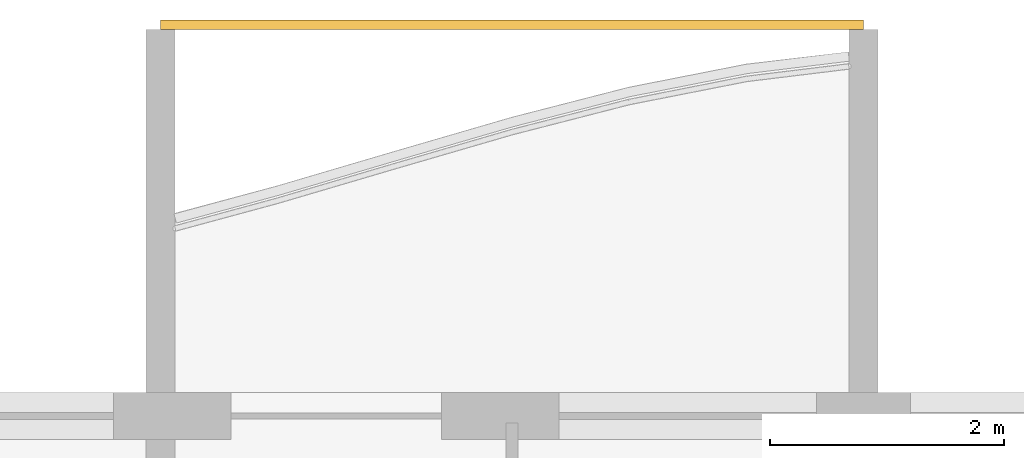
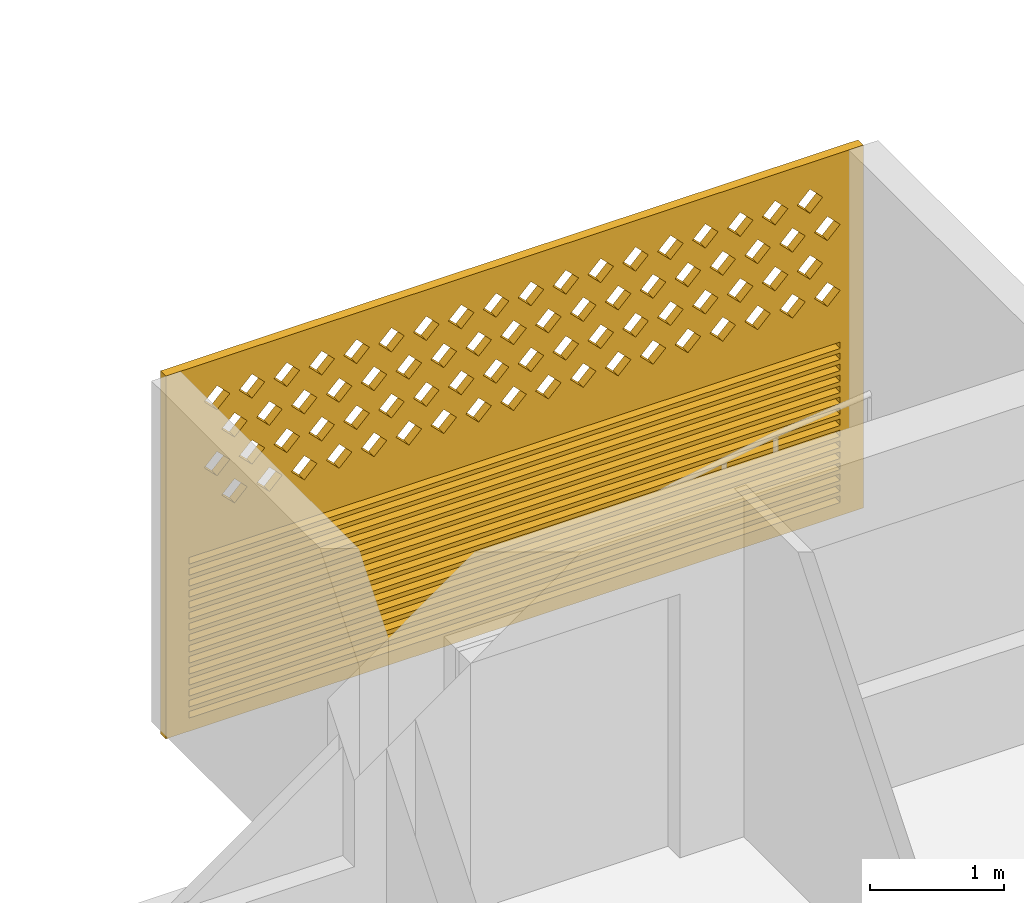
# One storey, part 20 of 28: 1 covering.
"""IFC4 building model written with IfcOpenShell, lengths in metres."""

import ifcopenshell
import ifcopenshell.guid

model = None  # the IFC model being written
_history = None  # IfcOwnerHistory: only IFC2X3 demands one
_inside = {}  # id of a spatial element -> (the spatial element, [elements in it])
_under = {}  # id of a project, library or spatial element -> (it, [spatial elements below it])
_declared = {}  # id of a project -> (the project, [libraries it declares])
_typed = {}  # id of a type object -> (the type object, [elements of that type])
_made_of = {}  # id of a material, layer set ... -> (it, [elements and type objects made of it])


def new_model(schema):
    """Start an empty IFC model of exactly this schema.

    Asked for "IFC4X3", IfcOpenShell would pick the latest addendum, in which some entities
    have other attributes; the version numbers below select the first issue.
    IFC2X3 requires an IfcOwnerHistory on every rooted entity: one is made here for all.
    """
    global model, _history
    if schema == "IFC4X3":
        model = ifcopenshell.file(schema_version=(4, 3, 0, 0))
    else:
        model = ifcopenshell.file(schema=schema)
    _inside.clear()
    _under.clear()
    _declared.clear()
    _typed.clear()
    _made_of.clear()
    _history = None
    if model.schema == "IFC2X3":
        org = make("IfcOrganization", Name="unknown")
        user = make(
            "IfcPersonAndOrganization",
            ThePerson=make("IfcPerson", FamilyName="unknown"),
            TheOrganization=org,
        )
        app = make(
            "IfcApplication",
            ApplicationDeveloper=org,
            Version="unknown",
            ApplicationFullName="unknown",
            ApplicationIdentifier="unknown",
        )
        _history = make(
            "IfcOwnerHistory",
            OwningUser=user,
            OwningApplication=app,
            ChangeAction="ADDED",
            CreationDate=0,
        )
    return model


def make(cls, **values):
    """One entity of the class cls with the attributes given. An attribute that is None is left unset."""
    return model.create_entity(
        cls, **{name: value for name, value in values.items() if value is not None}
    )


def rooted(cls, **values):
    """An entity with a GlobalId (a new one), such as an element, a storey or a relation."""
    return make(cls, GlobalId=ifcopenshell.guid.new(), OwnerHistory=_history, **values)


def si_unit(unit_type, name, prefix=None):
    """IfcSIUnit, for example si_unit("LENGTHUNIT", "METRE", prefix="MILLI")."""
    return make("IfcSIUnit", UnitType=unit_type, Prefix=prefix, Name=name)


def assignment(units):
    """IfcUnitAssignment: the units of a project."""
    return None if units is None else make("IfcUnitAssignment", Units=units)


def point(xyz):
    """IfcCartesianPoint."""
    return None if xyz is None else make("IfcCartesianPoint", Coordinates=xyz)


def direction(xyz):
    """IfcDirection."""
    return None if xyz is None else make("IfcDirection", DirectionRatios=xyz)


def frame(location, z_axis=None, x_axis=None):
    """IfcAxis2Placement3D, a coordinate frame: its origin and axes. An axis left out is left unset."""
    return make(
        "IfcAxis2Placement3D",
        Location=point(location),
        Axis=direction(z_axis),
        RefDirection=direction(x_axis),
    )


def origin():
    """The frame at (0, 0, 0) with its axes left unset."""
    return frame((0.0, 0.0, 0.0))


def place(relative_to, where):
    """IfcLocalPlacement: puts the frame where relative to a parent placement (None: the world)."""
    return make(
        "IfcLocalPlacement", PlacementRelTo=relative_to, RelativePlacement=where
    )


def context(
    kind, dimensions, precision=None, world=None, true_north=None, identifier=None
):
    """IfcGeometricRepresentationContext, for example the 3D "Model" context."""
    return make(
        "IfcGeometricRepresentationContext",
        ContextIdentifier=identifier,
        ContextType=kind,
        CoordinateSpaceDimension=dimensions,
        Precision=precision,
        WorldCoordinateSystem=world,
        TrueNorth=true_north,
    )


def subcontext(parent, identifier, kind, view, scale=None):
    """IfcGeometricRepresentationSubContext, for example "Body" below "Model"."""
    return make(
        "IfcGeometricRepresentationSubContext",
        ContextIdentifier=identifier,
        ContextType=kind,
        ParentContext=parent,
        TargetScale=scale,
        TargetView=view,
    )


def project(units=None, contexts=None):
    """IfcProject with its units and contexts."""
    return rooted(
        "IfcProject",
        Name="project",
        RepresentationContexts=contexts,
        UnitsInContext=assignment(units),
    )


def spatial(cls, under=None, at=None, **own):
    """A site, building, storey or space (cls), placed at a placement, below another one or the project."""
    s = rooted(cls, ObjectPlacement=at, **own)
    if under is not None:
        _under.setdefault(under.id(), (under, []))[1].append(s)
    return s


def polyline(points):
    """IfcPolyline through the points."""
    return make("IfcPolyline", Points=[point(p) for p in points])


def outline(outer, holes=None, kind="AREA"):
    """IfcArbitraryClosedProfileDef: a profile drawn as a closed curve; with holes, ...WithVoids."""
    if holes is None:
        return make("IfcArbitraryClosedProfileDef", ProfileType=kind, OuterCurve=outer)
    return make(
        "IfcArbitraryProfileDefWithVoids",
        ProfileType=kind,
        OuterCurve=outer,
        InnerCurves=holes,
    )


def extrude(swept, where, along, depth):
    """IfcExtrudedAreaSolid: the profile swept, set in the frame where, extruded along a direction by depth."""
    return make(
        "IfcExtrudedAreaSolid",
        SweptArea=swept,
        Position=where,
        ExtrudedDirection=direction(along),
        Depth=depth,
    )


def shape(context_of_items, identifier, shape_type, items):
    """IfcShapeRepresentation: the items that make up one representation, for example the "Body"."""
    return make(
        "IfcShapeRepresentation",
        ContextOfItems=context_of_items,
        RepresentationIdentifier=identifier,
        RepresentationType=shape_type,
        Items=items,
    )


def source(mapping_origin, context_of_items, identifier, shape_type, items):
    """IfcRepresentationMap: a shape defined once, which mapped items show again and again."""
    return make(
        "IfcRepresentationMap",
        MappingOrigin=mapping_origin,
        MappedRepresentation=shape(context_of_items, identifier, shape_type, items),
    )


def transform(
    local_origin,
    x_axis=None,
    y_axis=None,
    z_axis=None,
    scale=None,
    scale2=None,
    scale3=None,
    uniform=True,
):
    """IfcCartesianTransformationOperator3D, or its non-uniform kind. x_axis, y_axis, z_axis: its Axis1, 2, 3."""
    if uniform:
        return make(
            "IfcCartesianTransformationOperator3D",
            Axis1=direction(x_axis),
            Axis2=direction(y_axis),
            LocalOrigin=point(local_origin),
            Scale=scale,
            Axis3=direction(z_axis),
        )
    return make(
        "IfcCartesianTransformationOperator3DnonUniform",
        Axis1=direction(x_axis),
        Axis2=direction(y_axis),
        LocalOrigin=point(local_origin),
        Scale=scale,
        Axis3=direction(z_axis),
        Scale2=scale2,
        Scale3=scale3,
    )


def mapped(mapping_source, mapping_target):
    """IfcMappedItem: shows the shape of a source again, moved by a transform."""
    return make(
        "IfcMappedItem", MappingSource=mapping_source, MappingTarget=mapping_target
    )


def material(Name=None, Category=None):
    """IfcMaterial."""
    return make("IfcMaterial", Name=Name, Category=Category)


def material_profile(
    of_material, cross_section, Name=None, Category=None, Priority=None
):
    """IfcMaterialProfile: a cross section and its material."""
    return make(
        "IfcMaterialProfile",
        Name=Name,
        Material=of_material,
        Profile=cross_section,
        Priority=Priority,
        Category=Category,
    )


def profile_set(profiles, Name=None, composite=None):
    """IfcMaterialProfileSet."""
    return make(
        "IfcMaterialProfileSet",
        Name=Name,
        MaterialProfiles=profiles,
        CompositeProfile=composite,
    )


def made_of(thing, what):
    """Note that an element or type object is made of a material, layer set ...; save() writes the relation."""
    if what is not None:
        _made_of.setdefault(what.id(), (what, []))[1].append(thing)
    return thing


def type_object(cls, material=None, **own):
    """A type object (cls), such as IfcWallType, which elements share."""
    return made_of(rooted(cls, **own), material)


def element(
    cls,
    number,
    at=None,
    inside=None,
    cuts=None,
    type_object=None,
    material=None,
    context=None,
    identifier="Body",
    shape_type=None,
    held_by="IfcProductDefinitionShape",
    body=None,
    shapes=None,
    **own,
):
    """One element of the class cls, such as IfcWall. Its Tag is "e" and its number.

    at: its placement. inside: the storey or other place that contains it. cuts: it is an
    opening in that element (IfcRelVoidsElement). A single representation is given by context,
    identifier, shape_type and body (its items); several are given by shapes. held_by: the class
    of the entity that holds the representations. save() writes the other relations.
    """
    e = rooted(cls, Tag="e%d" % number, ObjectPlacement=at, **own)
    if body is not None:
        shapes = [shape(context, identifier, shape_type, body)]
    if shapes is not None:
        e.Representation = make(held_by, Representations=shapes)
    if inside is not None:
        _inside.setdefault(inside.id(), (inside, []))[1].append(e)
    if cuts is not None:
        rooted(
            "IfcRelVoidsElement", RelatingBuildingElement=cuts, RelatedOpeningElement=e
        )
    if type_object is not None:
        _typed.setdefault(type_object.id(), (type_object, []))[1].append(e)
    return made_of(e, material)


def aggregate(whole, parts):
    """IfcRelAggregates: a whole, such as a stair, and the parts it consists of."""
    return rooted("IfcRelAggregates", RelatingObject=whole, RelatedObjects=parts)


def save(model, path):
    """Write the relations noted so far, then the file.

    IfcRelAggregates (storeys below a building ...), IfcRelContainedInSpatialStructure (elements
    in a storey), IfcRelDefinesByType, IfcRelAssociatesMaterial and IfcRelDeclares: one each for
    every whole, place, type object, material and project.
    """
    for whole, parts in _under.values():
        aggregate(whole, parts)
    for where, things in _inside.values():
        rooted(
            "IfcRelContainedInSpatialStructure",
            RelatedElements=things,
            RelatingStructure=where,
        )
    for kind, things in _typed.values():
        rooted("IfcRelDefinesByType", RelatedObjects=things, RelatingType=kind)
    for what, things in _made_of.values():
        rooted("IfcRelAssociatesMaterial", RelatedObjects=things, RelatingMaterial=what)
    for by, libraries in _declared.values():
        rooted("IfcRelDeclares", RelatingContext=by, RelatedDefinitions=libraries)
    model.write(path)


model = new_model("IFC4")

# Units and contexts
model_context = context("Model", 3, precision=1e-05, world=origin(), true_north=direction((0.0, 1.0)))
body_context = subcontext(model_context, "Body", "Model", "MODEL_VIEW")
ifc_project = project(units=[si_unit("LENGTHUNIT", "METRE"), si_unit("AREAUNIT", "SQUARE_METRE"), si_unit("VOLUMEUNIT", "CUBIC_METRE"), si_unit("PLANEANGLEUNIT", "RADIAN"), si_unit("MASSUNIT", "GRAM", prefix="KILO")], contexts=[model_context])

# Site, building, storey
site_placement = place(None, origin())
site = spatial("IfcSite", under=ifc_project, at=site_placement, CompositionType="ELEMENT")
building_placement = place(site_placement, origin())
building = spatial("IfcBuilding", under=site, at=building_placement, Name="Poui Terraces", CompositionType="ELEMENT")
storey_placement = place(building_placement, frame((0.0, 0.0, 181.800048828125)))
storey = spatial("IfcBuildingStorey", under=building, at=storey_placement, Name="L50", CompositionType="ELEMENT", Elevation=181.800048828125)

# Covering
ifc_material = material(Name="Terracotta screen", Category="masonry")
ifc_material_profile = material_profile(ifc_material, outline(polyline([(-3.0, -1.64990234375), (3.0, -1.64990234375), (3.0, 1.64990234375), (-3.0, 1.64990234375), (-3.0, -1.64990234375)]), holes=[polyline([(-2.800048828125, 0.39990234375), (-2.68994140625, 0.2900390625), (-2.580078125, 0.39990234375), (-2.68994140625, 0.510009765625), (-2.800048828125, 0.39990234375)]), polyline([(-2.5, 0.39990234375), (-2.389892578125, 0.2900390625), (-2.280029296875, 0.39990234375), (-2.389892578125, 0.510009765625), (-2.5, 0.39990234375)]), polyline([(-2.199951171875, 0.39990234375), (-2.090087890625, 0.2900390625), (-1.97998046875, 0.39990234375), (-2.090087890625, 0.510009765625), (-2.199951171875, 0.39990234375)]), polyline([(-1.89990234375, 0.39990234375), (-1.7900390625, 0.2900390625), (-1.679931640625, 0.39990234375), (-1.7900390625, 0.510009765625), (-1.89990234375, 0.39990234375)]), polyline([(-1.60009765625, 0.39990234375), (-1.489990234375, 0.2900390625), (-1.3798828125, 0.39990234375), (-1.489990234375, 0.510009765625), (-1.60009765625, 0.39990234375)]), polyline([(-1.300048828125, 0.39990234375), (-1.18994140625, 0.2900390625), (-1.080078125, 0.39990234375), (-1.18994140625, 0.510009765625), (-1.300048828125, 0.39990234375)]), polyline([(-1.0, 0.39990234375), (-0.889892578125, 0.2900390625), (-0.780029296875, 0.39990234375), (-0.889892578125, 0.510009765625), (-1.0, 0.39990234375)]), polyline([(-0.699951171875, 0.39990234375), (-0.590087890625, 0.2900390625), (-0.47998046875, 0.39990234375), (-0.590087890625, 0.510009765625), (-0.699951171875, 0.39990234375)]), polyline([(-0.39990234375, 0.39990234375), (-0.2900390625, 0.2900390625), (-0.179931640625, 0.39990234375), (-0.2900390625, 0.510009765625), (-0.39990234375, 0.39990234375)]), polyline([(-0.10009765625, 0.39990234375), (0.010009765625, 0.2900390625), (0.1201171875, 0.39990234375), (0.010009765625, 0.510009765625), (-0.10009765625, 0.39990234375)]), polyline([(0.199951171875, 0.39990234375), (0.31005859375, 0.2900390625), (0.419921875, 0.39990234375), (0.31005859375, 0.510009765625), (0.199951171875, 0.39990234375)]), polyline([(0.5, 0.39990234375), (0.610107421875, 0.2900390625), (0.719970703125, 0.39990234375), (0.610107421875, 0.510009765625), (0.5, 0.39990234375)]), polyline([(0.800048828125, 0.39990234375), (0.909912109375, 0.2900390625), (1.02001953125, 0.39990234375), (0.909912109375, 0.510009765625), (0.800048828125, 0.39990234375)]), polyline([(1.10009765625, 0.39990234375), (1.2099609375, 0.2900390625), (1.320068359375, 0.39990234375), (1.2099609375, 0.510009765625), (1.10009765625, 0.39990234375)]), polyline([(1.39990234375, 0.39990234375), (1.510009765625, 0.2900390625), (1.6201171875, 0.39990234375), (1.510009765625, 0.510009765625), (1.39990234375, 0.39990234375)]), polyline([(1.699951171875, 0.39990234375), (1.81005859375, 0.2900390625), (1.919921875, 0.39990234375), (1.81005859375, 0.510009765625), (1.699951171875, 0.39990234375)]), polyline([(2.0, 0.39990234375), (2.110107421875, 0.2900390625), (2.219970703125, 0.39990234375), (2.110107421875, 0.510009765625), (2.0, 0.39990234375)]), polyline([(2.300048828125, 0.39990234375), (2.409912109375, 0.2900390625), (2.52001953125, 0.39990234375), (2.409912109375, 0.510009765625), (2.300048828125, 0.39990234375)]), polyline([(-2.64990234375, 0.699951171875), (-2.5400390625, 0.590087890625), (-2.429931640625, 0.699951171875), (-2.5400390625, 0.81005859375), (-2.64990234375, 0.699951171875)]), polyline([(-2.35009765625, 0.699951171875), (-2.239990234375, 0.590087890625), (-2.1298828125, 0.699951171875), (-2.239990234375, 0.81005859375), (-2.35009765625, 0.699951171875)]), polyline([(-2.050048828125, 0.699951171875), (-1.93994140625, 0.590087890625), (-1.830078125, 0.699951171875), (-1.93994140625, 0.81005859375), (-2.050048828125, 0.699951171875)]), polyline([(-1.75, 0.699951171875), (-1.639892578125, 0.590087890625), (-1.530029296875, 0.699951171875), (-1.639892578125, 0.81005859375), (-1.75, 0.699951171875)]), polyline([(-1.449951171875, 0.699951171875), (-1.340087890625, 0.590087890625), (-1.22998046875, 0.699951171875), (-1.340087890625, 0.81005859375), (-1.449951171875, 0.699951171875)]), polyline([(-1.14990234375, 0.699951171875), (-1.0400390625, 0.590087890625), (-0.929931640625, 0.699951171875), (-1.0400390625, 0.81005859375), (-1.14990234375, 0.699951171875)]), polyline([(-0.85009765625, 0.699951171875), (-0.739990234375, 0.590087890625), (-0.6298828125, 0.699951171875), (-0.739990234375, 0.81005859375), (-0.85009765625, 0.699951171875)]), polyline([(-0.550048828125, 0.699951171875), (-0.43994140625, 0.590087890625), (-0.330078125, 0.699951171875), (-0.43994140625, 0.81005859375), (-0.550048828125, 0.699951171875)]), polyline([(-0.25, 0.699951171875), (-0.139892578125, 0.590087890625), (-0.030029296875, 0.699951171875), (-0.139892578125, 0.81005859375), (-0.25, 0.699951171875)]), polyline([(0.050048828125, 0.699951171875), (0.159912109375, 0.590087890625), (0.27001953125, 0.699951171875), (0.159912109375, 0.81005859375), (0.050048828125, 0.699951171875)]), polyline([(0.35009765625, 0.699951171875), (0.4599609375, 0.590087890625), (0.570068359375, 0.699951171875), (0.4599609375, 0.81005859375), (0.35009765625, 0.699951171875)]), polyline([(0.64990234375, 0.699951171875), (0.760009765625, 0.590087890625), (0.8701171875, 0.699951171875), (0.760009765625, 0.81005859375), (0.64990234375, 0.699951171875)]), polyline([(0.949951171875, 0.699951171875), (1.06005859375, 0.590087890625), (1.169921875, 0.699951171875), (1.06005859375, 0.81005859375), (0.949951171875, 0.699951171875)]), polyline([(1.25, 0.699951171875), (1.360107421875, 0.590087890625), (1.469970703125, 0.699951171875), (1.360107421875, 0.81005859375), (1.25, 0.699951171875)]), polyline([(1.550048828125, 0.699951171875), (1.659912109375, 0.590087890625), (1.77001953125, 0.699951171875), (1.659912109375, 0.81005859375), (1.550048828125, 0.699951171875)]), polyline([(1.85009765625, 0.699951171875), (1.9599609375, 0.590087890625), (2.070068359375, 0.699951171875), (1.9599609375, 0.81005859375), (1.85009765625, 0.699951171875)]), polyline([(2.14990234375, 0.699951171875), (2.260009765625, 0.590087890625), (2.3701171875, 0.699951171875), (2.260009765625, 0.81005859375), (2.14990234375, 0.699951171875)]), polyline([(2.449951171875, 0.699951171875), (2.56005859375, 0.590087890625), (2.669921875, 0.699951171875), (2.56005859375, 0.81005859375), (2.449951171875, 0.699951171875)]), polyline([(-2.800048828125, 1.0), (-2.68994140625, 0.889892578125), (-2.580078125, 1.0), (-2.68994140625, 1.110107421875), (-2.800048828125, 1.0)]), polyline([(-2.5, 1.0), (-2.389892578125, 0.889892578125), (-2.280029296875, 1.0), (-2.389892578125, 1.110107421875), (-2.5, 1.0)]), polyline([(-2.199951171875, 1.0), (-2.090087890625, 0.889892578125), (-1.97998046875, 1.0), (-2.090087890625, 1.110107421875), (-2.199951171875, 1.0)]), polyline([(-1.89990234375, 1.0), (-1.7900390625, 0.889892578125), (-1.679931640625, 1.0), (-1.7900390625, 1.110107421875), (-1.89990234375, 1.0)]), polyline([(-1.60009765625, 1.0), (-1.489990234375, 0.889892578125), (-1.3798828125, 1.0), (-1.489990234375, 1.110107421875), (-1.60009765625, 1.0)]), polyline([(-1.300048828125, 1.0), (-1.18994140625, 0.889892578125), (-1.080078125, 1.0), (-1.18994140625, 1.110107421875), (-1.300048828125, 1.0)]), polyline([(-1.0, 1.0), (-0.889892578125, 0.889892578125), (-0.780029296875, 1.0), (-0.889892578125, 1.110107421875), (-1.0, 1.0)]), polyline([(-0.699951171875, 1.0), (-0.590087890625, 0.889892578125), (-0.47998046875, 1.0), (-0.590087890625, 1.110107421875), (-0.699951171875, 1.0)]), polyline([(-0.39990234375, 1.0), (-0.2900390625, 0.889892578125), (-0.179931640625, 1.0), (-0.2900390625, 1.110107421875), (-0.39990234375, 1.0)]), polyline([(-0.10009765625, 1.0), (0.010009765625, 0.889892578125), (0.1201171875, 1.0), (0.010009765625, 1.110107421875), (-0.10009765625, 1.0)]), polyline([(0.199951171875, 1.0), (0.31005859375, 0.889892578125), (0.419921875, 1.0), (0.31005859375, 1.110107421875), (0.199951171875, 1.0)]), polyline([(0.5, 1.0), (0.610107421875, 0.889892578125), (0.719970703125, 1.0), (0.610107421875, 1.110107421875), (0.5, 1.0)]), polyline([(0.800048828125, 1.0), (0.909912109375, 0.889892578125), (1.02001953125, 1.0), (0.909912109375, 1.110107421875), (0.800048828125, 1.0)]), polyline([(1.10009765625, 1.0), (1.2099609375, 0.889892578125), (1.320068359375, 1.0), (1.2099609375, 1.110107421875), (1.10009765625, 1.0)]), polyline([(1.39990234375, 1.0), (1.510009765625, 0.889892578125), (1.6201171875, 1.0), (1.510009765625, 1.110107421875), (1.39990234375, 1.0)]), polyline([(1.699951171875, 1.0), (1.81005859375, 0.889892578125), (1.919921875, 1.0), (1.81005859375, 1.110107421875), (1.699951171875, 1.0)]), polyline([(2.0, 1.0), (2.110107421875, 0.889892578125), (2.219970703125, 1.0), (2.110107421875, 1.110107421875), (2.0, 1.0)]), polyline([(2.300048828125, 1.0), (2.409912109375, 0.889892578125), (2.52001953125, 1.0), (2.409912109375, 1.110107421875), (2.300048828125, 1.0)]), polyline([(-2.64990234375, 1.300048828125), (-2.5400390625, 1.18994140625), (-2.429931640625, 1.300048828125), (-2.5400390625, 1.409912109375), (-2.64990234375, 1.300048828125)]), polyline([(-2.35009765625, 1.300048828125), (-2.239990234375, 1.18994140625), (-2.1298828125, 1.300048828125), (-2.239990234375, 1.409912109375), (-2.35009765625, 1.300048828125)]), polyline([(-2.050048828125, 1.300048828125), (-1.93994140625, 1.18994140625), (-1.830078125, 1.300048828125), (-1.93994140625, 1.409912109375), (-2.050048828125, 1.300048828125)]), polyline([(-1.75, 1.300048828125), (-1.639892578125, 1.18994140625), (-1.530029296875, 1.300048828125), (-1.639892578125, 1.409912109375), (-1.75, 1.300048828125)]), polyline([(-1.449951171875, 1.300048828125), (-1.340087890625, 1.18994140625), (-1.22998046875, 1.300048828125), (-1.340087890625, 1.409912109375), (-1.449951171875, 1.300048828125)]), polyline([(-1.14990234375, 1.300048828125), (-1.0400390625, 1.18994140625), (-0.929931640625, 1.300048828125), (-1.0400390625, 1.409912109375), (-1.14990234375, 1.300048828125)]), polyline([(-0.85009765625, 1.300048828125), (-0.739990234375, 1.18994140625), (-0.6298828125, 1.300048828125), (-0.739990234375, 1.409912109375), (-0.85009765625, 1.300048828125)]), polyline([(-0.550048828125, 1.300048828125), (-0.43994140625, 1.18994140625), (-0.330078125, 1.300048828125), (-0.43994140625, 1.409912109375), (-0.550048828125, 1.300048828125)]), polyline([(-0.25, 1.300048828125), (-0.139892578125, 1.18994140625), (-0.030029296875, 1.300048828125), (-0.139892578125, 1.409912109375), (-0.25, 1.300048828125)]), polyline([(0.050048828125, 1.300048828125), (0.159912109375, 1.18994140625), (0.27001953125, 1.300048828125), (0.159912109375, 1.409912109375), (0.050048828125, 1.300048828125)]), polyline([(0.35009765625, 1.300048828125), (0.4599609375, 1.18994140625), (0.570068359375, 1.300048828125), (0.4599609375, 1.409912109375), (0.35009765625, 1.300048828125)]), polyline([(0.64990234375, 1.300048828125), (0.760009765625, 1.18994140625), (0.8701171875, 1.300048828125), (0.760009765625, 1.409912109375), (0.64990234375, 1.300048828125)]), polyline([(0.949951171875, 1.300048828125), (1.06005859375, 1.18994140625), (1.169921875, 1.300048828125), (1.06005859375, 1.409912109375), (0.949951171875, 1.300048828125)]), polyline([(1.25, 1.300048828125), (1.360107421875, 1.18994140625), (1.469970703125, 1.300048828125), (1.360107421875, 1.409912109375), (1.25, 1.300048828125)]), polyline([(1.550048828125, 1.300048828125), (1.659912109375, 1.18994140625), (1.77001953125, 1.300048828125), (1.659912109375, 1.409912109375), (1.550048828125, 1.300048828125)]), polyline([(1.85009765625, 1.300048828125), (1.9599609375, 1.18994140625), (2.070068359375, 1.300048828125), (1.9599609375, 1.409912109375), (1.85009765625, 1.300048828125)]), polyline([(2.14990234375, 1.300048828125), (2.260009765625, 1.18994140625), (2.3701171875, 1.300048828125), (2.260009765625, 1.409912109375), (2.14990234375, 1.300048828125)]), polyline([(2.449951171875, 1.300048828125), (2.56005859375, 1.18994140625), (2.669921875, 1.300048828125), (2.56005859375, 1.409912109375), (2.449951171875, 1.300048828125)]), polyline([(-2.800048828125, -1.530029296875), (2.800048828125, -1.530029296875), (2.800048828125, -1.469970703125), (-2.800048828125, -1.469970703125), (-2.800048828125, -1.530029296875)]), polyline([(-2.800048828125, -1.429931640625), (2.800048828125, -1.429931640625), (2.800048828125, -1.3701171875), (-2.800048828125, -1.3701171875), (-2.800048828125, -1.429931640625)]), polyline([(-2.800048828125, -1.330078125), (2.800048828125, -1.330078125), (2.800048828125, -1.27001953125), (-2.800048828125, -1.27001953125), (-2.800048828125, -1.330078125)]), polyline([(-2.800048828125, -1.22998046875), (2.800048828125, -1.22998046875), (2.800048828125, -1.169921875), (-2.800048828125, -1.169921875), (-2.800048828125, -1.22998046875)]), polyline([(-2.800048828125, -1.1298828125), (2.800048828125, -1.1298828125), (2.800048828125, -1.070068359375), (-2.800048828125, -1.070068359375), (-2.800048828125, -1.1298828125)]), polyline([(-2.800048828125, -1.030029296875), (2.800048828125, -1.030029296875), (2.800048828125, -0.969970703125), (-2.800048828125, -0.969970703125), (-2.800048828125, -1.030029296875)]), polyline([(-2.800048828125, -0.929931640625), (2.800048828125, -0.929931640625), (2.800048828125, -0.8701171875), (-2.800048828125, -0.8701171875), (-2.800048828125, -0.929931640625)]), polyline([(-2.800048828125, -0.830078125), (2.800048828125, -0.830078125), (2.800048828125, -0.77001953125), (-2.800048828125, -0.77001953125), (-2.800048828125, -0.830078125)]), polyline([(-2.800048828125, -0.72998046875), (2.800048828125, -0.72998046875), (2.800048828125, -0.669921875), (-2.800048828125, -0.669921875), (-2.800048828125, -0.72998046875)]), polyline([(-2.800048828125, -0.6298828125), (2.800048828125, -0.6298828125), (2.800048828125, -0.570068359375), (-2.800048828125, -0.570068359375), (-2.800048828125, -0.6298828125)]), polyline([(-2.800048828125, -0.530029296875), (2.800048828125, -0.530029296875), (2.800048828125, -0.469970703125), (-2.800048828125, -0.469970703125), (-2.800048828125, -0.530029296875)]), polyline([(-2.800048828125, -0.429931640625), (2.800048828125, -0.429931640625), (2.800048828125, -0.3701171875), (-2.800048828125, -0.3701171875), (-2.800048828125, -0.429931640625)]), polyline([(-2.800048828125, -0.330078125), (2.800048828125, -0.330078125), (2.800048828125, -0.27001953125), (-2.800048828125, -0.27001953125), (-2.800048828125, -0.330078125)]), polyline([(-2.800048828125, -0.22998046875), (2.800048828125, -0.22998046875), (2.800048828125, -0.169921875), (-2.800048828125, -0.169921875), (-2.800048828125, -0.22998046875)]), polyline([(-2.800048828125, -0.1298828125), (2.800048828125, -0.1298828125), (2.800048828125, -0.070068359375), (-2.800048828125, -0.070068359375), (-2.800048828125, -0.1298828125)])]), Name="TERRACOTTA SCREEN AND JALOUSIE LOUVRE 6000X3300")
ifc_profile_set = profile_set([ifc_material_profile], Name="Terracotta screen")
covering_type = type_object("IfcCoveringType", Name="TERRACOTTA SCREEN AND JALOUSIE LOUVRE 6000X3300", PredefinedType="CLADDING", material=ifc_profile_set)
shared_shape = source(origin(), body_context, "Body", "SweptSolid", [
    extrude(outline(polyline([(-3.0, -1.64990234375), (3.0, -1.64990234375), (3.0, 1.64990234375), (-3.0, 1.64990234375), (-3.0, -1.64990234375)]), holes=[polyline([(-2.800048828125, 0.39990234375), (-2.68994140625, 0.2900390625), (-2.580078125, 0.39990234375), (-2.68994140625, 0.510009765625), (-2.800048828125, 0.39990234375)]), polyline([(-2.5, 0.39990234375), (-2.389892578125, 0.2900390625), (-2.280029296875, 0.39990234375), (-2.389892578125, 0.510009765625), (-2.5, 0.39990234375)]), polyline([(-2.199951171875, 0.39990234375), (-2.090087890625, 0.2900390625), (-1.97998046875, 0.39990234375), (-2.090087890625, 0.510009765625), (-2.199951171875, 0.39990234375)]), polyline([(-1.89990234375, 0.39990234375), (-1.7900390625, 0.2900390625), (-1.679931640625, 0.39990234375), (-1.7900390625, 0.510009765625), (-1.89990234375, 0.39990234375)]), polyline([(-1.60009765625, 0.39990234375), (-1.489990234375, 0.2900390625), (-1.3798828125, 0.39990234375), (-1.489990234375, 0.510009765625), (-1.60009765625, 0.39990234375)]), polyline([(-1.300048828125, 0.39990234375), (-1.18994140625, 0.2900390625), (-1.080078125, 0.39990234375), (-1.18994140625, 0.510009765625), (-1.300048828125, 0.39990234375)]), polyline([(-1.0, 0.39990234375), (-0.889892578125, 0.2900390625), (-0.780029296875, 0.39990234375), (-0.889892578125, 0.510009765625), (-1.0, 0.39990234375)]), polyline([(-0.699951171875, 0.39990234375), (-0.590087890625, 0.2900390625), (-0.47998046875, 0.39990234375), (-0.590087890625, 0.510009765625), (-0.699951171875, 0.39990234375)]), polyline([(-0.39990234375, 0.39990234375), (-0.2900390625, 0.2900390625), (-0.179931640625, 0.39990234375), (-0.2900390625, 0.510009765625), (-0.39990234375, 0.39990234375)]), polyline([(-0.10009765625, 0.39990234375), (0.010009765625, 0.2900390625), (0.1201171875, 0.39990234375), (0.010009765625, 0.510009765625), (-0.10009765625, 0.39990234375)]), polyline([(0.199951171875, 0.39990234375), (0.31005859375, 0.2900390625), (0.419921875, 0.39990234375), (0.31005859375, 0.510009765625), (0.199951171875, 0.39990234375)]), polyline([(0.5, 0.39990234375), (0.610107421875, 0.2900390625), (0.719970703125, 0.39990234375), (0.610107421875, 0.510009765625), (0.5, 0.39990234375)]), polyline([(0.800048828125, 0.39990234375), (0.909912109375, 0.2900390625), (1.02001953125, 0.39990234375), (0.909912109375, 0.510009765625), (0.800048828125, 0.39990234375)]), polyline([(1.10009765625, 0.39990234375), (1.2099609375, 0.2900390625), (1.320068359375, 0.39990234375), (1.2099609375, 0.510009765625), (1.10009765625, 0.39990234375)]), polyline([(1.39990234375, 0.39990234375), (1.510009765625, 0.2900390625), (1.6201171875, 0.39990234375), (1.510009765625, 0.510009765625), (1.39990234375, 0.39990234375)]), polyline([(1.699951171875, 0.39990234375), (1.81005859375, 0.2900390625), (1.919921875, 0.39990234375), (1.81005859375, 0.510009765625), (1.699951171875, 0.39990234375)]), polyline([(2.0, 0.39990234375), (2.110107421875, 0.2900390625), (2.219970703125, 0.39990234375), (2.110107421875, 0.510009765625), (2.0, 0.39990234375)]), polyline([(2.300048828125, 0.39990234375), (2.409912109375, 0.2900390625), (2.52001953125, 0.39990234375), (2.409912109375, 0.510009765625), (2.300048828125, 0.39990234375)]), polyline([(-2.64990234375, 0.699951171875), (-2.5400390625, 0.590087890625), (-2.429931640625, 0.699951171875), (-2.5400390625, 0.81005859375), (-2.64990234375, 0.699951171875)]), polyline([(-2.35009765625, 0.699951171875), (-2.239990234375, 0.590087890625), (-2.1298828125, 0.699951171875), (-2.239990234375, 0.81005859375), (-2.35009765625, 0.699951171875)]), polyline([(-2.050048828125, 0.699951171875), (-1.93994140625, 0.590087890625), (-1.830078125, 0.699951171875), (-1.93994140625, 0.81005859375), (-2.050048828125, 0.699951171875)]), polyline([(-1.75, 0.699951171875), (-1.639892578125, 0.590087890625), (-1.530029296875, 0.699951171875), (-1.639892578125, 0.81005859375), (-1.75, 0.699951171875)]), polyline([(-1.449951171875, 0.699951171875), (-1.340087890625, 0.590087890625), (-1.22998046875, 0.699951171875), (-1.340087890625, 0.81005859375), (-1.449951171875, 0.699951171875)]), polyline([(-1.14990234375, 0.699951171875), (-1.0400390625, 0.590087890625), (-0.929931640625, 0.699951171875), (-1.0400390625, 0.81005859375), (-1.14990234375, 0.699951171875)]), polyline([(-0.85009765625, 0.699951171875), (-0.739990234375, 0.590087890625), (-0.6298828125, 0.699951171875), (-0.739990234375, 0.81005859375), (-0.85009765625, 0.699951171875)]), polyline([(-0.550048828125, 0.699951171875), (-0.43994140625, 0.590087890625), (-0.330078125, 0.699951171875), (-0.43994140625, 0.81005859375), (-0.550048828125, 0.699951171875)]), polyline([(-0.25, 0.699951171875), (-0.139892578125, 0.590087890625), (-0.030029296875, 0.699951171875), (-0.139892578125, 0.81005859375), (-0.25, 0.699951171875)]), polyline([(0.050048828125, 0.699951171875), (0.159912109375, 0.590087890625), (0.27001953125, 0.699951171875), (0.159912109375, 0.81005859375), (0.050048828125, 0.699951171875)]), polyline([(0.35009765625, 0.699951171875), (0.4599609375, 0.590087890625), (0.570068359375, 0.699951171875), (0.4599609375, 0.81005859375), (0.35009765625, 0.699951171875)]), polyline([(0.64990234375, 0.699951171875), (0.760009765625, 0.590087890625), (0.8701171875, 0.699951171875), (0.760009765625, 0.81005859375), (0.64990234375, 0.699951171875)]), polyline([(0.949951171875, 0.699951171875), (1.06005859375, 0.590087890625), (1.169921875, 0.699951171875), (1.06005859375, 0.81005859375), (0.949951171875, 0.699951171875)]), polyline([(1.25, 0.699951171875), (1.360107421875, 0.590087890625), (1.469970703125, 0.699951171875), (1.360107421875, 0.81005859375), (1.25, 0.699951171875)]), polyline([(1.550048828125, 0.699951171875), (1.659912109375, 0.590087890625), (1.77001953125, 0.699951171875), (1.659912109375, 0.81005859375), (1.550048828125, 0.699951171875)]), polyline([(1.85009765625, 0.699951171875), (1.9599609375, 0.590087890625), (2.070068359375, 0.699951171875), (1.9599609375, 0.81005859375), (1.85009765625, 0.699951171875)]), polyline([(2.14990234375, 0.699951171875), (2.260009765625, 0.590087890625), (2.3701171875, 0.699951171875), (2.260009765625, 0.81005859375), (2.14990234375, 0.699951171875)]), polyline([(2.449951171875, 0.699951171875), (2.56005859375, 0.590087890625), (2.669921875, 0.699951171875), (2.56005859375, 0.81005859375), (2.449951171875, 0.699951171875)]), polyline([(-2.800048828125, 1.0), (-2.68994140625, 0.889892578125), (-2.580078125, 1.0), (-2.68994140625, 1.110107421875), (-2.800048828125, 1.0)]), polyline([(-2.5, 1.0), (-2.389892578125, 0.889892578125), (-2.280029296875, 1.0), (-2.389892578125, 1.110107421875), (-2.5, 1.0)]), polyline([(-2.199951171875, 1.0), (-2.090087890625, 0.889892578125), (-1.97998046875, 1.0), (-2.090087890625, 1.110107421875), (-2.199951171875, 1.0)]), polyline([(-1.89990234375, 1.0), (-1.7900390625, 0.889892578125), (-1.679931640625, 1.0), (-1.7900390625, 1.110107421875), (-1.89990234375, 1.0)]), polyline([(-1.60009765625, 1.0), (-1.489990234375, 0.889892578125), (-1.3798828125, 1.0), (-1.489990234375, 1.110107421875), (-1.60009765625, 1.0)]), polyline([(-1.300048828125, 1.0), (-1.18994140625, 0.889892578125), (-1.080078125, 1.0), (-1.18994140625, 1.110107421875), (-1.300048828125, 1.0)]), polyline([(-1.0, 1.0), (-0.889892578125, 0.889892578125), (-0.780029296875, 1.0), (-0.889892578125, 1.110107421875), (-1.0, 1.0)]), polyline([(-0.699951171875, 1.0), (-0.590087890625, 0.889892578125), (-0.47998046875, 1.0), (-0.590087890625, 1.110107421875), (-0.699951171875, 1.0)]), polyline([(-0.39990234375, 1.0), (-0.2900390625, 0.889892578125), (-0.179931640625, 1.0), (-0.2900390625, 1.110107421875), (-0.39990234375, 1.0)]), polyline([(-0.10009765625, 1.0), (0.010009765625, 0.889892578125), (0.1201171875, 1.0), (0.010009765625, 1.110107421875), (-0.10009765625, 1.0)]), polyline([(0.199951171875, 1.0), (0.31005859375, 0.889892578125), (0.419921875, 1.0), (0.31005859375, 1.110107421875), (0.199951171875, 1.0)]), polyline([(0.5, 1.0), (0.610107421875, 0.889892578125), (0.719970703125, 1.0), (0.610107421875, 1.110107421875), (0.5, 1.0)]), polyline([(0.800048828125, 1.0), (0.909912109375, 0.889892578125), (1.02001953125, 1.0), (0.909912109375, 1.110107421875), (0.800048828125, 1.0)]), polyline([(1.10009765625, 1.0), (1.2099609375, 0.889892578125), (1.320068359375, 1.0), (1.2099609375, 1.110107421875), (1.10009765625, 1.0)]), polyline([(1.39990234375, 1.0), (1.510009765625, 0.889892578125), (1.6201171875, 1.0), (1.510009765625, 1.110107421875), (1.39990234375, 1.0)]), polyline([(1.699951171875, 1.0), (1.81005859375, 0.889892578125), (1.919921875, 1.0), (1.81005859375, 1.110107421875), (1.699951171875, 1.0)]), polyline([(2.0, 1.0), (2.110107421875, 0.889892578125), (2.219970703125, 1.0), (2.110107421875, 1.110107421875), (2.0, 1.0)]), polyline([(2.300048828125, 1.0), (2.409912109375, 0.889892578125), (2.52001953125, 1.0), (2.409912109375, 1.110107421875), (2.300048828125, 1.0)]), polyline([(-2.64990234375, 1.300048828125), (-2.5400390625, 1.18994140625), (-2.429931640625, 1.300048828125), (-2.5400390625, 1.409912109375), (-2.64990234375, 1.300048828125)]), polyline([(-2.35009765625, 1.300048828125), (-2.239990234375, 1.18994140625), (-2.1298828125, 1.300048828125), (-2.239990234375, 1.409912109375), (-2.35009765625, 1.300048828125)]), polyline([(-2.050048828125, 1.300048828125), (-1.93994140625, 1.18994140625), (-1.830078125, 1.300048828125), (-1.93994140625, 1.409912109375), (-2.050048828125, 1.300048828125)]), polyline([(-1.75, 1.300048828125), (-1.639892578125, 1.18994140625), (-1.530029296875, 1.300048828125), (-1.639892578125, 1.409912109375), (-1.75, 1.300048828125)]), polyline([(-1.449951171875, 1.300048828125), (-1.340087890625, 1.18994140625), (-1.22998046875, 1.300048828125), (-1.340087890625, 1.409912109375), (-1.449951171875, 1.300048828125)]), polyline([(-1.14990234375, 1.300048828125), (-1.0400390625, 1.18994140625), (-0.929931640625, 1.300048828125), (-1.0400390625, 1.409912109375), (-1.14990234375, 1.300048828125)]), polyline([(-0.85009765625, 1.300048828125), (-0.739990234375, 1.18994140625), (-0.6298828125, 1.300048828125), (-0.739990234375, 1.409912109375), (-0.85009765625, 1.300048828125)]), polyline([(-0.550048828125, 1.300048828125), (-0.43994140625, 1.18994140625), (-0.330078125, 1.300048828125), (-0.43994140625, 1.409912109375), (-0.550048828125, 1.300048828125)]), polyline([(-0.25, 1.300048828125), (-0.139892578125, 1.18994140625), (-0.030029296875, 1.300048828125), (-0.139892578125, 1.409912109375), (-0.25, 1.300048828125)]), polyline([(0.050048828125, 1.300048828125), (0.159912109375, 1.18994140625), (0.27001953125, 1.300048828125), (0.159912109375, 1.409912109375), (0.050048828125, 1.300048828125)]), polyline([(0.35009765625, 1.300048828125), (0.4599609375, 1.18994140625), (0.570068359375, 1.300048828125), (0.4599609375, 1.409912109375), (0.35009765625, 1.300048828125)]), polyline([(0.64990234375, 1.300048828125), (0.760009765625, 1.18994140625), (0.8701171875, 1.300048828125), (0.760009765625, 1.409912109375), (0.64990234375, 1.300048828125)]), polyline([(0.949951171875, 1.300048828125), (1.06005859375, 1.18994140625), (1.169921875, 1.300048828125), (1.06005859375, 1.409912109375), (0.949951171875, 1.300048828125)]), polyline([(1.25, 1.300048828125), (1.360107421875, 1.18994140625), (1.469970703125, 1.300048828125), (1.360107421875, 1.409912109375), (1.25, 1.300048828125)]), polyline([(1.550048828125, 1.300048828125), (1.659912109375, 1.18994140625), (1.77001953125, 1.300048828125), (1.659912109375, 1.409912109375), (1.550048828125, 1.300048828125)]), polyline([(1.85009765625, 1.300048828125), (1.9599609375, 1.18994140625), (2.070068359375, 1.300048828125), (1.9599609375, 1.409912109375), (1.85009765625, 1.300048828125)]), polyline([(2.14990234375, 1.300048828125), (2.260009765625, 1.18994140625), (2.3701171875, 1.300048828125), (2.260009765625, 1.409912109375), (2.14990234375, 1.300048828125)]), polyline([(2.449951171875, 1.300048828125), (2.56005859375, 1.18994140625), (2.669921875, 1.300048828125), (2.56005859375, 1.409912109375), (2.449951171875, 1.300048828125)]), polyline([(-2.800048828125, -1.530029296875), (2.800048828125, -1.530029296875), (2.800048828125, -1.469970703125), (-2.800048828125, -1.469970703125), (-2.800048828125, -1.530029296875)]), polyline([(-2.800048828125, -1.429931640625), (2.800048828125, -1.429931640625), (2.800048828125, -1.3701171875), (-2.800048828125, -1.3701171875), (-2.800048828125, -1.429931640625)]), polyline([(-2.800048828125, -1.330078125), (2.800048828125, -1.330078125), (2.800048828125, -1.27001953125), (-2.800048828125, -1.27001953125), (-2.800048828125, -1.330078125)]), polyline([(-2.800048828125, -1.22998046875), (2.800048828125, -1.22998046875), (2.800048828125, -1.169921875), (-2.800048828125, -1.169921875), (-2.800048828125, -1.22998046875)]), polyline([(-2.800048828125, -1.1298828125), (2.800048828125, -1.1298828125), (2.800048828125, -1.070068359375), (-2.800048828125, -1.070068359375), (-2.800048828125, -1.1298828125)]), polyline([(-2.800048828125, -1.030029296875), (2.800048828125, -1.030029296875), (2.800048828125, -0.969970703125), (-2.800048828125, -0.969970703125), (-2.800048828125, -1.030029296875)]), polyline([(-2.800048828125, -0.929931640625), (2.800048828125, -0.929931640625), (2.800048828125, -0.8701171875), (-2.800048828125, -0.8701171875), (-2.800048828125, -0.929931640625)]), polyline([(-2.800048828125, -0.830078125), (2.800048828125, -0.830078125), (2.800048828125, -0.77001953125), (-2.800048828125, -0.77001953125), (-2.800048828125, -0.830078125)]), polyline([(-2.800048828125, -0.72998046875), (2.800048828125, -0.72998046875), (2.800048828125, -0.669921875), (-2.800048828125, -0.669921875), (-2.800048828125, -0.72998046875)]), polyline([(-2.800048828125, -0.6298828125), (2.800048828125, -0.6298828125), (2.800048828125, -0.570068359375), (-2.800048828125, -0.570068359375), (-2.800048828125, -0.6298828125)]), polyline([(-2.800048828125, -0.530029296875), (2.800048828125, -0.530029296875), (2.800048828125, -0.469970703125), (-2.800048828125, -0.469970703125), (-2.800048828125, -0.530029296875)]), polyline([(-2.800048828125, -0.429931640625), (2.800048828125, -0.429931640625), (2.800048828125, -0.3701171875), (-2.800048828125, -0.3701171875), (-2.800048828125, -0.429931640625)]), polyline([(-2.800048828125, -0.330078125), (2.800048828125, -0.330078125), (2.800048828125, -0.27001953125), (-2.800048828125, -0.27001953125), (-2.800048828125, -0.330078125)]), polyline([(-2.800048828125, -0.22998046875), (2.800048828125, -0.22998046875), (2.800048828125, -0.169921875), (-2.800048828125, -0.169921875), (-2.800048828125, -0.22998046875)]), polyline([(-2.800048828125, -0.1298828125), (2.800048828125, -0.1298828125), (2.800048828125, -0.070068359375), (-2.800048828125, -0.070068359375), (-2.800048828125, -0.1298828125)])]), origin(), (0.0, 0.0, 1.0), 0.080078125),
])
covering_placement = place(storey_placement, frame((45.0, 44.5, 1.449951171875), z_axis=(0.0, 1.0, 0.0), x_axis=(-1.0, 0.0, 0.0)))
element("IfcCovering", 1, at=covering_placement, inside=storey, type_object=covering_type, Name="SOLAR SCREEN AND JALOUSIE LOUVRE", PredefinedType="CLADDING", context=body_context, shape_type="MappedRepresentation", body=[
    mapped(shared_shape, transform((0.0, 0.0, 0.0))),
])

save(model, "model.ifc")
